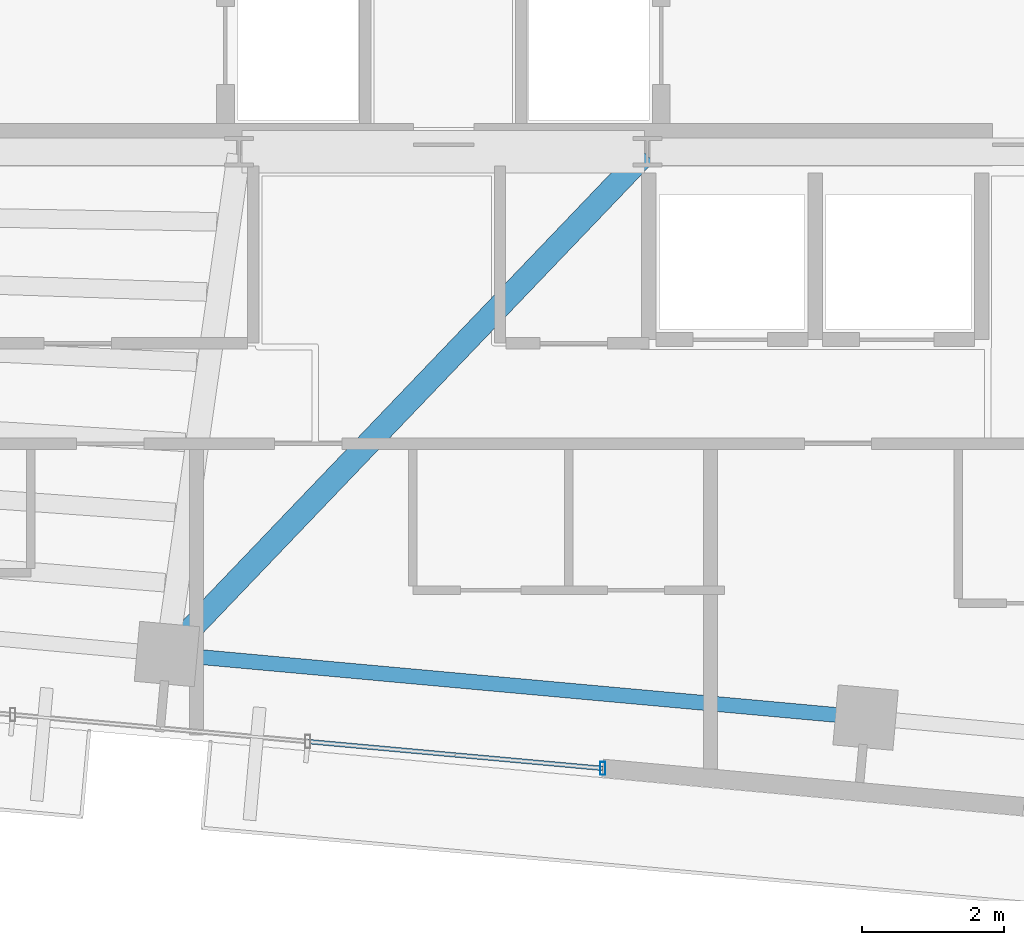
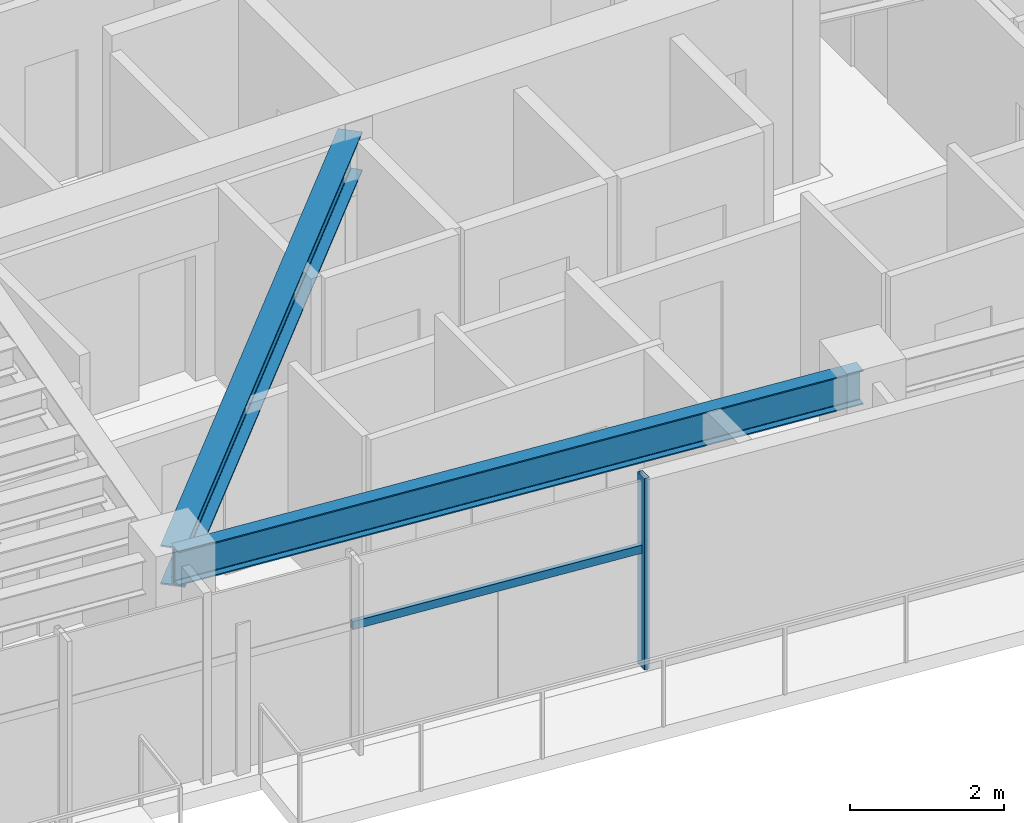
# One storey, part 7 of 22: 2 beams, 2 members, 1 element without a shape of its own.
"""IFC4 building model written with IfcOpenShell, lengths in metres."""

from ifc_helpers import new_model, si_unit, direction, frame, origin, origin_2d, place, context, subcontext, project, spatial, hollow_rectangle, i_section, extrude, source, transform, mapped, material, material_profile, profile_set, type_object, type_shapes, element, aggregate, save


model = new_model("IFC4")

# Units and contexts
model_context = context("Model", 3, precision=1e-05, world=origin(), true_north=direction((0.0, 1.0)))
body_context = subcontext(model_context, "Body", "Model", "MODEL_VIEW")
ifc_project = project(units=[si_unit("LENGTHUNIT", "METRE"), si_unit("AREAUNIT", "SQUARE_METRE"), si_unit("VOLUMEUNIT", "CUBIC_METRE"), si_unit("PLANEANGLEUNIT", "RADIAN"), si_unit("MASSUNIT", "GRAM", prefix="KILO")], contexts=[model_context])

# Site, building, storey
site_placement = place(None, origin())
site = spatial("IfcSite", under=ifc_project, at=site_placement, CompositionType="ELEMENT")
building_placement = place(site_placement, origin())
building = spatial("IfcBuilding", under=site, at=building_placement, Name="Astriad Promenade Condominiums", CompositionType="ELEMENT")
storey_placement = place(building_placement, frame((0.0, 0.0, 236.39990234375)))
storey = spatial("IfcBuildingStorey", under=building, at=storey_placement, Name="L68", CompositionType="ELEMENT", Elevation=236.39990234375)

# Beams
ifc_material_1 = material(Name="Steel ASTM A992 Grade 50", Category="steel")
ifc_material_profile_1 = material_profile(ifc_material_1, i_section(OverallWidth=0.210693359375, OverallDepth=0.53955078125, WebThickness=0.01171875, FlangeThickness=0.018798828125, FilletRadius=0.0166015625, at=origin_2d()), Name="W21X73")
ifc_profile_set_1 = profile_set([ifc_material_profile_1], Name="Steel ASTM A992 Grade 50")
beam_type_1 = type_object("IfcBeamType", Name="STEEL SPANDREL BEAM W21X73", PredefinedType="SPANDREL", material=ifc_profile_set_1)
shared_shape_1 = source(origin(), body_context, "Body", "SweptSolid", [
    extrude(i_section(OverallWidth=0.210693359375, OverallDepth=0.53955078125, WebThickness=0.01171875, FlangeThickness=0.018798828125, FilletRadius=0.0166015625, at=origin_2d()), origin(), (0.0, 0.0, 1.0), 9.820068359375),
])
type_shapes(beam_type_1, [shared_shape_1])
beam_1_placement = place(storey_placement, frame((32.14013671875, 10.30810546875, 2.7705078125), z_axis=(0.995885663174, -0.090618683965, 0.0), x_axis=(0.090618683965, 0.995885663174, 0.0)))
element("IfcBeam", 1, at=beam_1_placement, inside=storey, type_object=beam_type_1, Name="Perimeter Spandrel Beam SP-S3-L68", PredefinedType="SPANDREL", context=body_context, shape_type="MappedRepresentation", body=[
    mapped(shared_shape_1, transform((0.0, 0.0, 0.0), scale=1.0)),
])
ifc_material_profile_2 = material_profile(ifc_material_1, i_section(OverallWidth=0.326416015625, OverallDepth=0.621826171875, WebThickness=0.015380859375, FlangeThickness=0.0244140625, FilletRadius=0.017822265625, at=origin_2d()), Name="W24X131")
ifc_profile_set_2 = profile_set([ifc_material_profile_2], Name="Steel ASTM A992 Grade 50")
beam_type_2 = type_object("IfcBeamType", Name="STEEL FLOOR GIRDER W24X131", PredefinedType="BEAM", material=ifc_profile_set_2)
shared_shape_2 = source(origin(), body_context, "Body", "SweptSolid", [
    extrude(i_section(OverallWidth=0.326416015625, OverallDepth=0.621826171875, WebThickness=0.015380859375, FlangeThickness=0.0244140625, FilletRadius=0.017822265625, at=origin_2d()), origin(), (0.0, 0.0, 1.0), 9.728515625),
])
type_shapes(beam_type_2, [shared_shape_2])
beam_2_placement = place(storey_placement, frame((32.1279296875, 10.3408203125, 2.729248046875), z_axis=(0.691209540622, 0.722654392468, 0.0), x_axis=(-0.722654392468, 0.691209540622, 0.0)))
element("IfcBeam", 2, at=beam_2_placement, inside=storey, type_object=beam_type_2, Name="Primary Floor Girder PG-C2-L68", PredefinedType="BEAM", context=body_context, shape_type="MappedRepresentation", body=[
    mapped(shared_shape_2, transform((0.0, 0.0, 0.0), scale=1.0)),
])

# Curtain wall, members
ifc_material_2 = material(Name="Anodised aluminium Black Dark Glass Unitised", Category="aluminium")
curtain_wall_type = type_object("IfcCurtainWallType", Name="CW-B5-DARK", PredefinedType="USERDEFINED", material=ifc_material_2)
curtain_wall_placement = place(storey_placement, origin())
curtain_wall = element("IfcCurtainWall", 3, at=curtain_wall_placement, inside=storey, type_object=curtain_wall_type, Name="CW-L68-S", ObjectType="UNITISED_CURTAIN_WALL", PredefinedType="USERDEFINED")
ifc_material_3 = material(Name="Anodised aluminium 6063-T6 Black", Category="aluminium")
ifc_material_profile_3 = material_profile(ifc_material_3, hollow_rectangle(XDim=0.06494140625, YDim=0.1298828125, WallThickness=0.00390625, at=origin_2d()), Name="ALU-TRN-65X130")
ifc_profile_set_3 = profile_set([ifc_material_profile_3], Name="Anodised aluminium 6063-T6 Black")
member_type_1 = type_object("IfcMemberType", Name="TRN-ALU-TRN-65X130", PredefinedType="USERDEFINED", material=ifc_profile_set_3)
shared_shape_3 = source(origin(), body_context, "Body", "SweptSolid", [
    extrude(hollow_rectangle(XDim=0.06494140625, YDim=0.1298828125, WallThickness=0.00390625, at=origin_2d()), origin(), (0.0, 0.0, 1.0), 4.179931640625),
])
type_shapes(member_type_1, [shared_shape_3])
member_1_placement = place(storey_placement, frame((38.24951171875, 8.69775390625, 1.885009765625), z_axis=(-0.995883146811, 0.090646334165, 0.0), x_axis=(-0.090646334165, -0.995883146811, 0.0)))
member_1 = element("IfcMember", 4, at=member_1_placement, type_object=member_type_1, Name="CW-L68-S-TRN-00-0", ObjectType="TRANSOM", PredefinedType="USERDEFINED", context=body_context, shape_type="MappedRepresentation", body=[
    mapped(shared_shape_3, transform((0.0, 0.0, 0.0), scale=1.0)),
])
ifc_material_profile_4 = material_profile(ifc_material_3, hollow_rectangle(XDim=0.074951171875, YDim=0.18505859375, WallThickness=0.00439453125, at=origin_2d()), Name="ALU-MUL-75X185")
ifc_profile_set_4 = profile_set([ifc_material_profile_4], Name="Anodised aluminium 6063-T6 Black")
member_type_2 = type_object("IfcMemberType", Name="MUL-ALU-MUL-75X185", PredefinedType="MULLION", material=ifc_profile_set_4)
shared_shape_4 = source(origin(), body_context, "Body", "SweptSolid", [
    extrude(hollow_rectangle(XDim=0.074951171875, YDim=0.18505859375, WallThickness=0.00439453125, at=origin_2d()), origin(), (0.0, 0.0, 1.0), 3.0400390625),
])
type_shapes(member_type_2, [shared_shape_4])
member_2_placement = place(storey_placement, frame((38.24951171875, 8.69775390625, 0.0), z_axis=(0.0, 0.0, 1.0), x_axis=(1.0, 0.0, 0.0)))
member_2 = element("IfcMember", 5, at=member_2_placement, type_object=member_type_2, Name="CW-L68-S-MUL-00", PredefinedType="MULLION", context=body_context, shape_type="MappedRepresentation", body=[
    mapped(shared_shape_4, transform((0.0, 0.0, 0.0), scale=1.0)),
])
aggregate(curtain_wall, [member_2, member_1])

save(model, "model.ifc")
